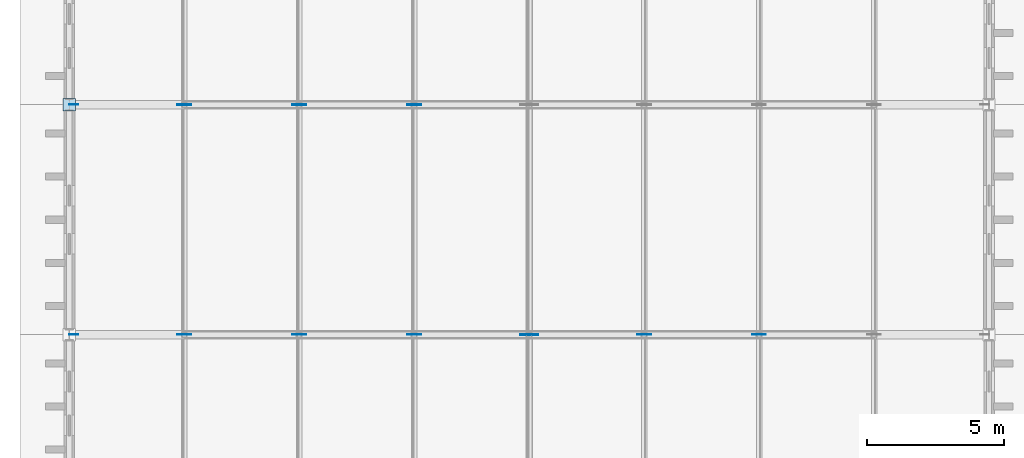
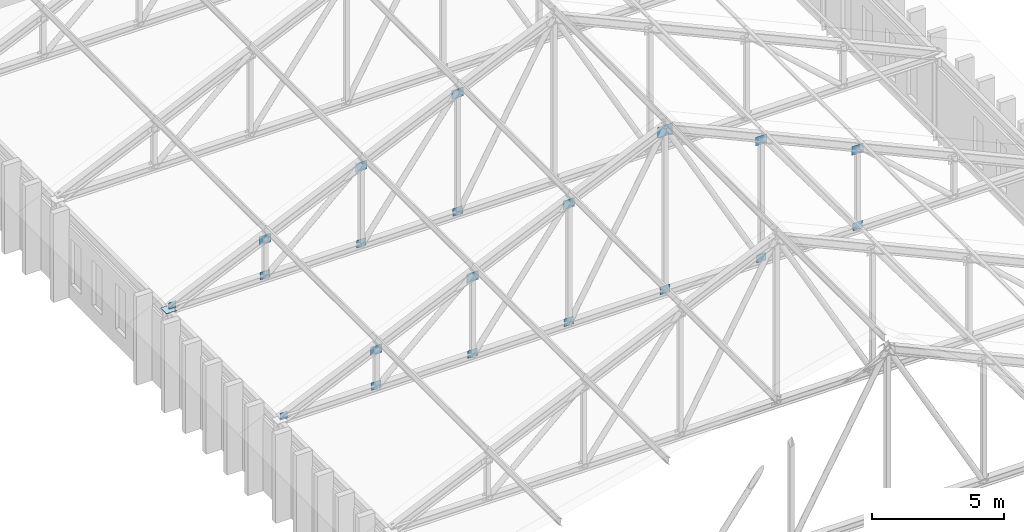
# One storey, part 68 of 110: 21 plates.
"""IFC4 building model written with IfcOpenShell, lengths in metres."""

from ifc_helpers import new_model, si_unit, direction, frame, origin, origin_2d, place, context, subcontext, project, spatial, rectangle, extrude, material, layer, layer_set, type_object, element, save


model = new_model("IFC4")

# Units and contexts
model_context = context("Model", 3, precision=1e-05, world=origin(), true_north=direction((0.0, 1.0)))
body_context = subcontext(model_context, "Body", "Model", "MODEL_VIEW")
ifc_project = project(units=[si_unit("LENGTHUNIT", "METRE"), si_unit("AREAUNIT", "SQUARE_METRE"), si_unit("VOLUMEUNIT", "CUBIC_METRE"), si_unit("PLANEANGLEUNIT", "RADIAN"), si_unit("MASSUNIT", "GRAM", prefix="KILO")], contexts=[model_context])

# Site, building, storey
site_placement = place(None, origin())
site = spatial("IfcSite", under=ifc_project, at=site_placement, CompositionType="ELEMENT")
building_placement = place(site_placement, origin())
building = spatial("IfcBuilding", under=site, at=building_placement, Name="Kveldsbrygga Polytechnic", CompositionType="ELEMENT")
storey_placement = place(building_placement, frame((0.0, 0.0, 9.860107421875)))
storey = spatial("IfcBuildingStorey", under=building, at=storey_placement, Name="L02", CompositionType="ELEMENT", Elevation=9.860107421875)

# Plates
ifc_material = material(Name="Steel S355", Category="steel")
ifc_layer_1 = layer(ifc_material, 0.030029296875)
ifc_layer_set_1 = layer_set([ifc_layer_1], Name="Steel S355")
plate_type_1 = type_object("IfcPlateType", Name="CAP-BEAR-450", PredefinedType="SHEET", material=ifc_layer_set_1)
plate_1_placement = place(storey_placement, frame((0.0, 58.800048828125, 3.75), z_axis=(0.0, 0.0, 1.0), x_axis=(1.0, 0.0, 0.0)))
element("IfcPlate", 1, at=plate_1_placement, inside=storey, type_object=plate_type_1, Name="Truss Bearing Plate V1W-T05-A", PredefinedType="SHEET", context=body_context, shape_type="SweptSolid", body=[
    extrude(rectangle(XDim=0.449951171875, YDim=0.449951171875, at=origin_2d()), origin(), (0.0, 0.0, 1.0), 0.030029296875),
])
ifc_layer_2 = layer(ifc_material, 0.02490234375)
ifc_layer_set_2 = layer_set([ifc_layer_2], Name="Steel S355")
plate_type_2 = type_object("IfcPlateType", Name="GUS-APEX-650", PredefinedType="SHEET", material=ifc_layer_set_2)
plate_2_placement = place(storey_placement, frame((16.800048828125, 50.39990234375, 10.97998046875), z_axis=(0.0, 0.0, 1.0), x_axis=(1.0, 0.0, 0.0)))
element("IfcPlate", 2, at=plate_2_placement, inside=storey, type_object=plate_type_2, Name="Truss Gusset Plate V1W-T04-GP-4", PredefinedType="SHEET", context=body_context, shape_type="SweptSolid", body=[
    extrude(rectangle(XDim=0.64990234375, YDim=0.02490234375, at=origin_2d()), origin(), (0.0, 0.0, 1.0), 0.5),
])
ifc_layer_3 = layer(ifc_material, 0.01806640625)
ifc_layer_set_3 = layer_set([ifc_layer_3], Name="Steel S355")
plate_type_3 = type_object("IfcPlateType", Name="GUS-BRACE-320", PredefinedType="SHEET", material=ifc_layer_set_3)
for number, where, z_axis, x_axis, name in (
    (3, (0.159912109375, 50.39990234375, 3.73974609375), (0.0, 0.0, 1.0), (1.0, 0.0, 0.0), "Truss Eaves Node Gusset V1W-T04-EGP-A"),
    (4, (0.159912109375, 58.800048828125, 3.73974609375), (0.0, 0.0, 1.0), (1.0, 0.0, 0.0), "Truss Eaves Node Gusset V1W-T05-EGP-A"),
):
    element("IfcPlate", number, at=place(storey_placement, frame(where, z_axis=z_axis, x_axis=x_axis)), inside=storey, type_object=plate_type_3, Name=name, PredefinedType="SHEET", context=body_context, shape_type="SweptSolid", body=[
        extrude(rectangle(XDim=0.320068359375, YDim=0.01806640625, at=origin_2d()), origin(), (0.0, 0.0, 1.0), 0.320068359375),
    ])
ifc_layer_4 = layer(ifc_material, 0.02001953125)
ifc_layer_set_4 = layer_set([ifc_layer_4], Name="Steel S355")
plate_type_4 = type_object("IfcPlateType", Name="GUS-LECT-420", PredefinedType="SHEET", material=ifc_layer_set_4)
for number, where, z_axis, x_axis, name in (
    (5, (4.199951171875, 50.39990234375, 3.724853515625), (0.0, 0.0, 1.0), (1.0, 0.0, 0.0), "Truss Bottom-Chord Node Gusset V1W-T04-BGP-1"),
    (6, (8.39990234375, 50.39990234375, 3.724853515625), (0.0, 0.0, 1.0), (1.0, 0.0, 0.0), "Truss Bottom-Chord Node Gusset V1W-T04-BGP-2"),
    (7, (12.60009765625, 50.39990234375, 3.724853515625), (0.0, 0.0, 1.0), (1.0, 0.0, 0.0), "Truss Bottom-Chord Node Gusset V1W-T04-BGP-3"),
    (8, (16.800048828125, 50.39990234375, 3.724853515625), (0.0, 0.0, 1.0), (1.0, 0.0, 0.0), "Truss Bottom-Chord Node Gusset V1W-T04-BGP-4"),
    (9, (21.0, 50.39990234375, 3.724853515625), (0.0, 0.0, 1.0), (1.0, 0.0, 0.0), "Truss Bottom-Chord Node Gusset V1W-T04-BGP-5"),
    (10, (25.199951171875, 50.39990234375, 3.724853515625), (0.0, 0.0, 1.0), (1.0, 0.0, 0.0), "Truss Bottom-Chord Node Gusset V1W-T04-BGP-6"),
    (11, (4.199951171875, 58.800048828125, 3.724853515625), (0.0, 0.0, 1.0), (1.0, 0.0, 0.0), "Truss Bottom-Chord Node Gusset V1W-T05-BGP-1"),
    (12, (8.39990234375, 58.800048828125, 3.724853515625), (0.0, 0.0, 1.0), (1.0, 0.0, 0.0), "Truss Bottom-Chord Node Gusset V1W-T05-BGP-2"),
    (13, (12.60009765625, 58.800048828125, 3.724853515625), (0.0, 0.0, 1.0), (1.0, 0.0, 0.0), "Truss Bottom-Chord Node Gusset V1W-T05-BGP-3"),
):
    element("IfcPlate", number, at=place(storey_placement, frame(where, z_axis=z_axis, x_axis=x_axis)), inside=storey, type_object=plate_type_4, Name=name, PredefinedType="SHEET", context=body_context, shape_type="SweptSolid", body=[
        extrude(rectangle(XDim=0.419921875, YDim=0.02001953125, at=origin_2d()), origin(), (0.0, 0.0, 1.0), 0.35009765625),
    ])
ifc_layer_5 = layer(ifc_material, 0.02197265625)
ifc_layer_set_5 = layer_set([ifc_layer_5], Name="Steel S355")
plate_type_5 = type_object("IfcPlateType", Name="GUS-NODE-500", PredefinedType="SHEET", material=ifc_layer_set_5)
for number, where, z_axis, x_axis, name in (
    (14, (4.199951171875, 50.39990234375, 5.329833984375), (0.0, 0.0, 1.0), (1.0, 0.0, 0.0), "Truss Gusset Plate V1W-T04-GP-1"),
    (15, (8.39990234375, 50.39990234375, 7.22998046875), (0.0, 0.0, 1.0), (1.0, 0.0, 0.0), "Truss Gusset Plate V1W-T04-GP-2"),
    (16, (12.60009765625, 50.39990234375, 9.1298828125), (0.0, 0.0, 1.0), (1.0, 0.0, 0.0), "Truss Gusset Plate V1W-T04-GP-3"),
    (17, (21.0, 50.39990234375, 9.1298828125), (0.0, 0.0, 1.0), (1.0, 0.0, 0.0), "Truss Gusset Plate V1W-T04-GP-5"),
    (18, (25.199951171875, 50.39990234375, 7.22998046875), (0.0, 0.0, 1.0), (1.0, 0.0, 0.0), "Truss Gusset Plate V1W-T04-GP-6"),
    (19, (4.199951171875, 58.800048828125, 5.329833984375), (0.0, 0.0, 1.0), (1.0, 0.0, 0.0), "Truss Gusset Plate V1W-T05-GP-1"),
    (20, (8.39990234375, 58.800048828125, 7.22998046875), (0.0, 0.0, 1.0), (1.0, 0.0, 0.0), "Truss Gusset Plate V1W-T05-GP-2"),
    (21, (12.60009765625, 58.800048828125, 9.1298828125), (0.0, 0.0, 1.0), (1.0, 0.0, 0.0), "Truss Gusset Plate V1W-T05-GP-3"),
):
    element("IfcPlate", number, at=place(storey_placement, frame(where, z_axis=z_axis, x_axis=x_axis)), inside=storey, type_object=plate_type_5, Name=name, PredefinedType="SHEET", context=body_context, shape_type="SweptSolid", body=[
        extrude(rectangle(XDim=0.5, YDim=0.02197265625, at=origin_2d()), origin(), (0.0, 0.0, 1.0), 0.39990234375),
    ])

save(model, "model.ifc")
